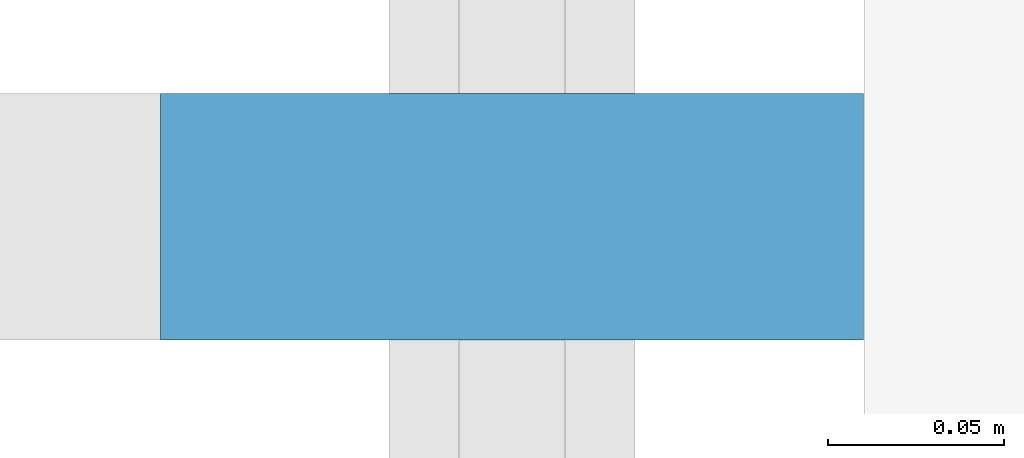
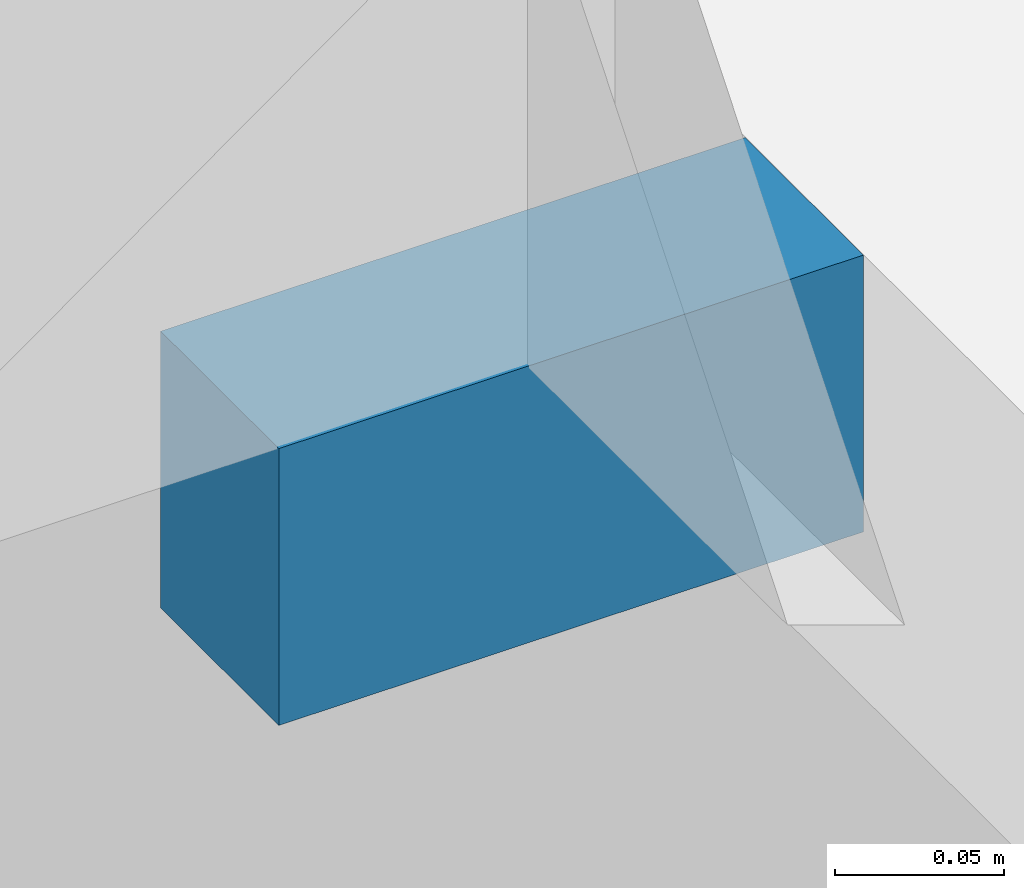
# One storey, part 12 of 16: 1 discrete accessory.
"""IFC4 building model written with IfcOpenShell, lengths in metres."""

from ifc_helpers import new_model, si_unit, direction, frame, origin, origin_2d, place, context, subcontext, project, spatial, rectangle, extrude, element, save


model = new_model("IFC4")

# Units and contexts
model_context = context("Model", 3, precision=1e-05, world=origin(), true_north=direction((0.0, 1.0)))
body_context = subcontext(model_context, "Body", "Model", "MODEL_VIEW")
ifc_project = project(units=[si_unit("LENGTHUNIT", "METRE"), si_unit("AREAUNIT", "SQUARE_METRE"), si_unit("VOLUMEUNIT", "CUBIC_METRE"), si_unit("PLANEANGLEUNIT", "RADIAN"), si_unit("MASSUNIT", "GRAM", prefix="KILO")], contexts=[model_context])

# Site, building, storey
site_placement = place(None, origin())
site = spatial("IfcSite", under=ifc_project, at=site_placement, CompositionType="ELEMENT")
building_placement = place(site_placement, origin())
building = spatial("IfcBuilding", under=site, at=building_placement, Name="Daluyong Arena Tower", CompositionType="ELEMENT")
storey_placement = place(building_placement, frame((0.0, 0.0, 202.300048828125)))
storey = spatial("IfcBuildingStorey", under=building, at=storey_placement, Name="L45", CompositionType="ELEMENT", Elevation=202.300048828125)

# Discrete accessory
discrete_accessory_placement = place(storey_placement, frame((34.25, 87.386474609375, -0.10009765625), z_axis=(0.0, 0.0, 1.0), x_axis=(0.0, -1.0, 0.0)))
element("IfcDiscreteAccessory", 1, at=discrete_accessory_placement, inside=storey, Name="curtain wall L45 W anchor bracket 4", PredefinedType="BRACKET", context=body_context, shape_type="SweptSolid", body=[
    extrude(rectangle(XDim=0.070068359375, YDim=0.199951171875, at=origin_2d()), origin(), (0.0, 0.0, 1.0), 0.10009765625),
])

save(model, "model.ifc")
